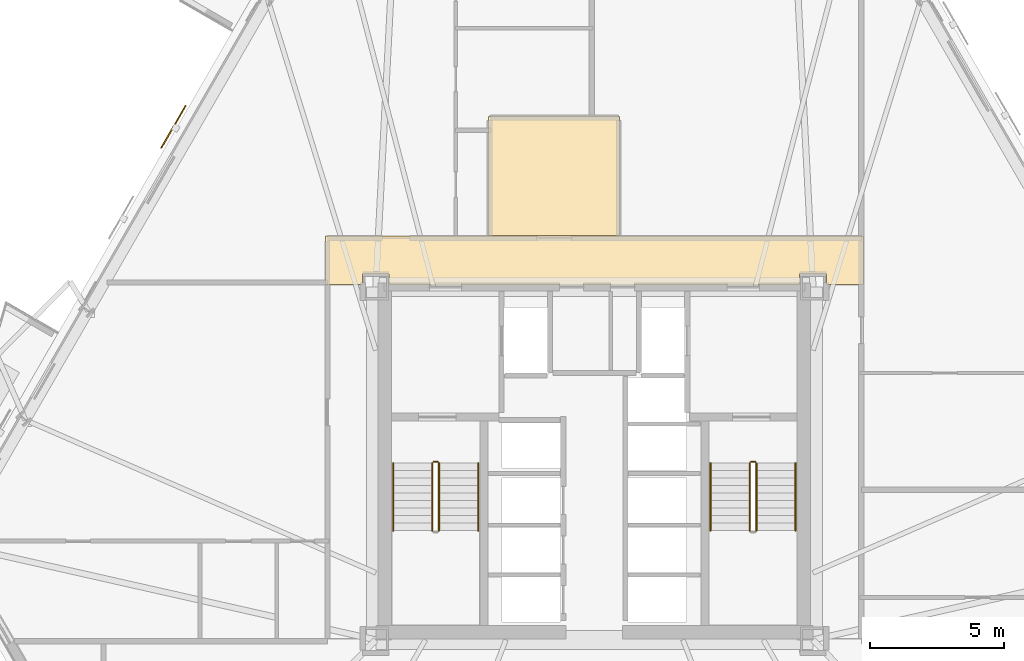
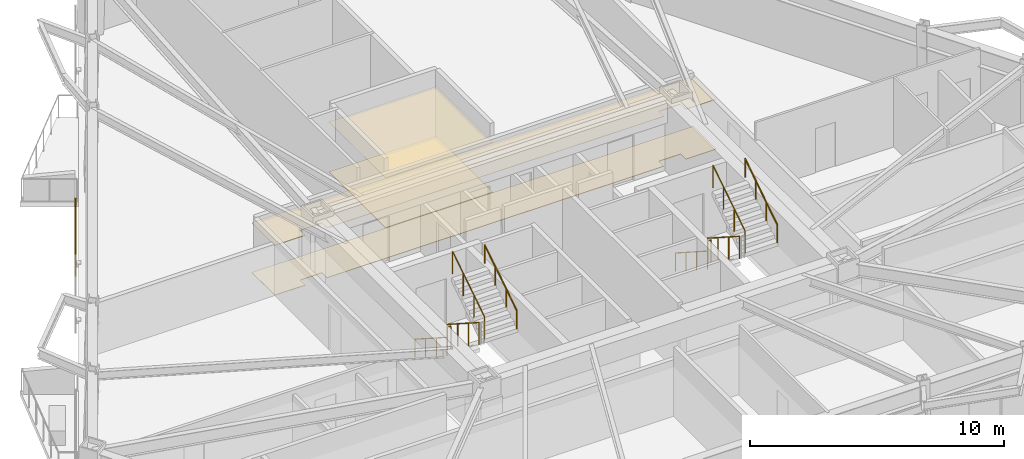
# One storey, part 9 of 10: 10 railings, 4 coverings, 1 shading device.
"""IFC4 building model written with IfcOpenShell, lengths in metres."""

import ifcopenshell
import ifcopenshell.guid

model = None  # the IFC model being written
_history = None  # IfcOwnerHistory: only IFC2X3 demands one
_inside = {}  # id of a spatial element -> (the spatial element, [elements in it])
_under = {}  # id of a project, library or spatial element -> (it, [spatial elements below it])
_declared = {}  # id of a project -> (the project, [libraries it declares])
_typed = {}  # id of a type object -> (the type object, [elements of that type])
_made_of = {}  # id of a material, layer set ... -> (it, [elements and type objects made of it])


def new_model(schema):
    """Start an empty IFC model of exactly this schema.

    Asked for "IFC4X3", IfcOpenShell would pick the latest addendum, in which some entities
    have other attributes; the version numbers below select the first issue.
    IFC2X3 requires an IfcOwnerHistory on every rooted entity: one is made here for all.
    """
    global model, _history
    if schema == "IFC4X3":
        model = ifcopenshell.file(schema_version=(4, 3, 0, 0))
    else:
        model = ifcopenshell.file(schema=schema)
    _inside.clear()
    _under.clear()
    _declared.clear()
    _typed.clear()
    _made_of.clear()
    _history = None
    if model.schema == "IFC2X3":
        org = make("IfcOrganization", Name="unknown")
        user = make(
            "IfcPersonAndOrganization",
            ThePerson=make("IfcPerson", FamilyName="unknown"),
            TheOrganization=org,
        )
        app = make(
            "IfcApplication",
            ApplicationDeveloper=org,
            Version="unknown",
            ApplicationFullName="unknown",
            ApplicationIdentifier="unknown",
        )
        _history = make(
            "IfcOwnerHistory",
            OwningUser=user,
            OwningApplication=app,
            ChangeAction="ADDED",
            CreationDate=0,
        )
    return model


def make(cls, **values):
    """One entity of the class cls with the attributes given. An attribute that is None is left unset."""
    return model.create_entity(
        cls, **{name: value for name, value in values.items() if value is not None}
    )


def rooted(cls, **values):
    """An entity with a GlobalId (a new one), such as an element, a storey or a relation."""
    return make(cls, GlobalId=ifcopenshell.guid.new(), OwnerHistory=_history, **values)


def si_unit(unit_type, name, prefix=None):
    """IfcSIUnit, for example si_unit("LENGTHUNIT", "METRE", prefix="MILLI")."""
    return make("IfcSIUnit", UnitType=unit_type, Prefix=prefix, Name=name)


def assignment(units):
    """IfcUnitAssignment: the units of a project."""
    return None if units is None else make("IfcUnitAssignment", Units=units)


def point(xyz):
    """IfcCartesianPoint."""
    return None if xyz is None else make("IfcCartesianPoint", Coordinates=xyz)


def direction(xyz):
    """IfcDirection."""
    return None if xyz is None else make("IfcDirection", DirectionRatios=xyz)


def frame(location, z_axis=None, x_axis=None):
    """IfcAxis2Placement3D, a coordinate frame: its origin and axes. An axis left out is left unset."""
    return make(
        "IfcAxis2Placement3D",
        Location=point(location),
        Axis=direction(z_axis),
        RefDirection=direction(x_axis),
    )


def frame_2d(location, x_axis=None):
    """IfcAxis2Placement2D, a coordinate frame in the plane: its origin and x axis."""
    return make(
        "IfcAxis2Placement2D", Location=point(location), RefDirection=direction(x_axis)
    )


def origin():
    """The frame at (0, 0, 0) with its axes left unset."""
    return frame((0.0, 0.0, 0.0))


def origin_2d():
    """The frame at (0, 0) in the plane with its x axis left unset."""
    return frame_2d((0.0, 0.0))


def place(relative_to, where):
    """IfcLocalPlacement: puts the frame where relative to a parent placement (None: the world)."""
    return make(
        "IfcLocalPlacement", PlacementRelTo=relative_to, RelativePlacement=where
    )


def context(
    kind, dimensions, precision=None, world=None, true_north=None, identifier=None
):
    """IfcGeometricRepresentationContext, for example the 3D "Model" context."""
    return make(
        "IfcGeometricRepresentationContext",
        ContextIdentifier=identifier,
        ContextType=kind,
        CoordinateSpaceDimension=dimensions,
        Precision=precision,
        WorldCoordinateSystem=world,
        TrueNorth=true_north,
    )


def subcontext(parent, identifier, kind, view, scale=None):
    """IfcGeometricRepresentationSubContext, for example "Body" below "Model"."""
    return make(
        "IfcGeometricRepresentationSubContext",
        ContextIdentifier=identifier,
        ContextType=kind,
        ParentContext=parent,
        TargetScale=scale,
        TargetView=view,
    )


def project(units=None, contexts=None):
    """IfcProject with its units and contexts."""
    return rooted(
        "IfcProject",
        Name="project",
        RepresentationContexts=contexts,
        UnitsInContext=assignment(units),
    )


def spatial(cls, under=None, at=None, **own):
    """A site, building, storey or space (cls), placed at a placement, below another one or the project."""
    s = rooted(cls, ObjectPlacement=at, **own)
    if under is not None:
        _under.setdefault(under.id(), (under, []))[1].append(s)
    return s


def polyline(points):
    """IfcPolyline through the points."""
    return make("IfcPolyline", Points=[point(p) for p in points])


def profile(cls, at=None, kind="AREA", **sizes):
    """A parametric profile (cls). Its sizes go by their IFC names, for example OverallWidth=200.0."""
    return make(cls, ProfileType=kind, Position=at, **sizes)


def rectangle(**sizes):
    """IfcRectangleProfileDef."""
    return profile("IfcRectangleProfileDef", **sizes)


def circle(**sizes):
    """IfcCircleProfileDef."""
    return profile("IfcCircleProfileDef", **sizes)


def outline(outer, holes=None, kind="AREA"):
    """IfcArbitraryClosedProfileDef: a profile drawn as a closed curve; with holes, ...WithVoids."""
    if holes is None:
        return make("IfcArbitraryClosedProfileDef", ProfileType=kind, OuterCurve=outer)
    return make(
        "IfcArbitraryProfileDefWithVoids",
        ProfileType=kind,
        OuterCurve=outer,
        InnerCurves=holes,
    )


def extrude(swept, where, along, depth):
    """IfcExtrudedAreaSolid: the profile swept, set in the frame where, extruded along a direction by depth."""
    return make(
        "IfcExtrudedAreaSolid",
        SweptArea=swept,
        Position=where,
        ExtrudedDirection=direction(along),
        Depth=depth,
    )


def shape(context_of_items, identifier, shape_type, items):
    """IfcShapeRepresentation: the items that make up one representation, for example the "Body"."""
    return make(
        "IfcShapeRepresentation",
        ContextOfItems=context_of_items,
        RepresentationIdentifier=identifier,
        RepresentationType=shape_type,
        Items=items,
    )


def material(Name=None, Category=None):
    """IfcMaterial."""
    return make("IfcMaterial", Name=Name, Category=Category)


def layer(
    of_material, thickness, ventilated=None, Name=None, Category=None, Priority=None
):
    """IfcMaterialLayer: one layer of a wall or slab, of a material (None: an air gap)."""
    return make(
        "IfcMaterialLayer",
        Material=of_material,
        LayerThickness=thickness,
        IsVentilated=ventilated,
        Name=Name,
        Category=Category,
        Priority=Priority,
    )


def layer_set(layers, Name=None):
    """IfcMaterialLayerSet."""
    return make("IfcMaterialLayerSet", MaterialLayers=layers, LayerSetName=Name)


def made_of(thing, what):
    """Note that an element or type object is made of a material, layer set ...; save() writes the relation."""
    if what is not None:
        _made_of.setdefault(what.id(), (what, []))[1].append(thing)
    return thing


def type_object(cls, material=None, **own):
    """A type object (cls), such as IfcWallType, which elements share."""
    return made_of(rooted(cls, **own), material)


def element(
    cls,
    number,
    at=None,
    inside=None,
    cuts=None,
    type_object=None,
    material=None,
    context=None,
    identifier="Body",
    shape_type=None,
    held_by="IfcProductDefinitionShape",
    body=None,
    shapes=None,
    **own,
):
    """One element of the class cls, such as IfcWall. Its Tag is "e" and its number.

    at: its placement. inside: the storey or other place that contains it. cuts: it is an
    opening in that element (IfcRelVoidsElement). A single representation is given by context,
    identifier, shape_type and body (its items); several are given by shapes. held_by: the class
    of the entity that holds the representations. save() writes the other relations.
    """
    e = rooted(cls, Tag="e%d" % number, ObjectPlacement=at, **own)
    if body is not None:
        shapes = [shape(context, identifier, shape_type, body)]
    if shapes is not None:
        e.Representation = make(held_by, Representations=shapes)
    if inside is not None:
        _inside.setdefault(inside.id(), (inside, []))[1].append(e)
    if cuts is not None:
        rooted(
            "IfcRelVoidsElement", RelatingBuildingElement=cuts, RelatedOpeningElement=e
        )
    if type_object is not None:
        _typed.setdefault(type_object.id(), (type_object, []))[1].append(e)
    return made_of(e, material)


def aggregate(whole, parts):
    """IfcRelAggregates: a whole, such as a stair, and the parts it consists of."""
    return rooted("IfcRelAggregates", RelatingObject=whole, RelatedObjects=parts)


def save(model, path):
    """Write the relations noted so far, then the file.

    IfcRelAggregates (storeys below a building ...), IfcRelContainedInSpatialStructure (elements
    in a storey), IfcRelDefinesByType, IfcRelAssociatesMaterial and IfcRelDeclares: one each for
    every whole, place, type object, material and project.
    """
    for whole, parts in _under.values():
        aggregate(whole, parts)
    for where, things in _inside.values():
        rooted(
            "IfcRelContainedInSpatialStructure",
            RelatedElements=things,
            RelatingStructure=where,
        )
    for kind, things in _typed.values():
        rooted("IfcRelDefinesByType", RelatedObjects=things, RelatingType=kind)
    for what, things in _made_of.values():
        rooted("IfcRelAssociatesMaterial", RelatedObjects=things, RelatingMaterial=what)
    for by, libraries in _declared.values():
        rooted("IfcRelDeclares", RelatingContext=by, RelatedDefinitions=libraries)
    model.write(path)


model = new_model("IFC4")

# Units and contexts
model_context = context("Model", 3, precision=1e-05, world=origin(), true_north=direction((0.0, 1.0)))
body_context = subcontext(model_context, "Body", "Model", "MODEL_VIEW")
ifc_project = project(units=[si_unit("LENGTHUNIT", "METRE"), si_unit("AREAUNIT", "SQUARE_METRE"), si_unit("VOLUMEUNIT", "CUBIC_METRE"), si_unit("PLANEANGLEUNIT", "RADIAN"), si_unit("MASSUNIT", "GRAM", prefix="KILO")], contexts=[model_context])

# Site, building, storey
site_placement = place(None, origin())
site = spatial("IfcSite", under=ifc_project, at=site_placement, CompositionType="ELEMENT")
building_placement = place(site_placement, origin())
building = spatial("IfcBuilding", under=site, at=building_placement, Name="Oramaril Tower", CompositionType="ELEMENT")
storey_placement = place(building_placement, frame((0.0, 0.0, 52.5)))
storey = spatial("IfcBuildingStorey", under=building, at=storey_placement, Name="L13", CompositionType="ELEMENT", Elevation=52.5)

# Coverings
ifc_material_1 = material(Name="Mineral Fibre Acoustic Ceiling")
ifc_layer_1 = layer(ifc_material_1, 0.02001953125)
ifc_layer_set_1 = layer_set([ifc_layer_1], Name="CVT-CEIL")
covering_type_1 = type_object("IfcCoveringType", Name="CVT-CEIL", PredefinedType="CEILING", material=ifc_layer_set_1)
covering_1_placement = place(storey_placement, frame((0.0, 0.0, 2.39990234375)))
element("IfcCovering", 1, at=covering_1_placement, inside=storey, type_object=covering_type_1, Name="L13 Acoustic Suspended Ceiling 2", PredefinedType="CEILING", context=body_context, shape_type="SweptSolid", body=[
    extrude(outline(polyline([(47.530029296875, 24.239990234375), (46.14501953125, 24.239990234375), (46.14501953125, 24.64501953125), (45.155029296875, 24.64501953125), (45.155029296875, 24.25), (29.844970703125, 24.25), (29.844970703125, 24.64501953125), (28.85498046875, 24.64501953125), (28.85498046875, 24.239990234375), (27.469970703125, 24.239990234375), (27.469970703125, 26.050048828125), (47.530029296875, 26.050048828125), (47.530029296875, 24.239990234375)])), origin(), (0.0, 0.0, 1.0), 0.02001953125),
])
covering_2_placement = place(storey_placement, frame((0.0, 0.0, 2.39990234375)))
element("IfcCovering", 2, at=covering_2_placement, inside=storey, type_object=covering_type_1, Name="L13 Acoustic Suspended Ceiling 5", PredefinedType="CEILING", context=body_context, shape_type="SweptSolid", body=[
    extrude(outline(polyline([(38.44189453125, 30.511962890625), (38.44189453125, 26.070068359375), (33.55810546875, 26.070068359375), (33.55810546875, 30.511962890625), (38.44189453125, 30.511962890625)])), origin(), (0.0, 0.0, 1.0), 0.02001953125),
])
ifc_material_2 = material(Name="Honed Quartzite Stone Flooring", Category="masonry")
ifc_layer_2 = layer(ifc_material_2, 0.02490234375)
ifc_layer_set_2 = layer_set([ifc_layer_2], Name="CVT-FLR")
covering_type_2 = type_object("IfcCoveringType", Name="CVT-FLR", PredefinedType="FLOORING", material=ifc_layer_set_2)
covering_3_placement = place(storey_placement, origin())
element("IfcCovering", 3, at=covering_3_placement, inside=storey, type_object=covering_type_2, Name="L13 Honed Stone Floor Finish 2", PredefinedType="FLOORING", context=body_context, shape_type="SweptSolid", body=[
    extrude(outline(polyline([(47.530029296875, 24.239990234375), (46.14501953125, 24.239990234375), (46.14501953125, 24.64501953125), (45.155029296875, 24.64501953125), (45.155029296875, 24.25), (29.844970703125, 24.25), (29.844970703125, 24.64501953125), (28.85498046875, 24.64501953125), (28.85498046875, 24.239990234375), (27.469970703125, 24.239990234375), (27.469970703125, 26.050048828125), (47.530029296875, 26.050048828125), (47.530029296875, 24.239990234375)])), origin(), (0.0, 0.0, 1.0), 0.02490234375),
])
covering_4_placement = place(storey_placement, origin())
element("IfcCovering", 4, at=covering_4_placement, inside=storey, type_object=covering_type_2, Name="L13 Honed Stone Floor Finish 5", PredefinedType="FLOORING", context=body_context, shape_type="SweptSolid", body=[
    extrude(outline(polyline([(38.44189453125, 30.511962890625), (38.44189453125, 26.070068359375), (33.55810546875, 26.070068359375), (33.55810546875, 30.511962890625), (38.44189453125, 30.511962890625)])), origin(), (0.0, 0.0, 1.0), 0.02490234375),
])

# Railings
ifc_material_3 = material(Name="Stainless Steel 316L", Category="steel")
railing_type_1 = type_object("IfcRailingType", Name="RLT-GRD", PredefinedType="GUARDRAIL", material=ifc_material_3)
railing_1_placement = place(storey_placement, frame((31.4599609375, 17.590087890625, 0.179931640625)))
element("IfcRailing", 5, at=railing_1_placement, inside=storey, type_object=railing_type_1, Name="L13 ST-1 stair guard 1", PredefinedType="GUARDRAIL", context=body_context, shape_type="SweptSolid", body=[
    extrude(circle(Radius=0.02392578125, at=origin_2d()), frame((0.0, 0.0, 1.076171875), z_axis=(0.0, -0.841162588446, 0.540782303519), x_axis=(1.0, 0.0, 0.0)), (0.0, 0.0, 1.0), 2.995849609375),
    extrude(circle(Radius=0.02099609375, at=origin_2d()), origin(), (0.0, 0.0, 1.0), 1.052001953125),
    extrude(circle(Radius=0.02099609375, at=origin_2d()), frame((0.0, -0.840087890625, 0.5400390625)), (0.0, 0.0, 1.0), 1.052001953125),
    extrude(circle(Radius=0.02099609375, at=origin_2d()), frame((0.0, -1.679931640625, 1.080078125)), (0.0, 0.0, 1.0), 1.052001953125),
    extrude(circle(Radius=0.02099609375, at=origin_2d()), frame((0.0, -2.52001953125, 1.6201171875)), (0.0, 0.0, 1.0), 1.052001953125),
])
railing_2_placement = place(storey_placement, frame((31.7099609375, 15.070068359375, 1.97998046875)))
element("IfcRailing", 6, at=railing_2_placement, inside=storey, type_object=railing_type_1, Name="L13 ST-1 stair guard 3", PredefinedType="GUARDRAIL", context=body_context, shape_type="SweptSolid", body=[
    extrude(circle(Radius=0.02392578125, at=origin_2d()), frame((0.0, 0.0, 1.076171875), z_axis=(0.0, 0.841162588446, 0.540782303519), x_axis=(-1.0, 0.0, 0.0)), (0.0, 0.0, 1.0), 2.995849609375),
    extrude(circle(Radius=0.02099609375, at=origin_2d()), origin(), (0.0, 0.0, 1.0), 1.052001953125),
    extrude(circle(Radius=0.02099609375, at=origin_2d()), frame((0.0, 0.840087890625, 0.5400390625)), (0.0, 0.0, 1.0), 1.052001953125),
    extrude(circle(Radius=0.02099609375, at=origin_2d()), frame((0.0, 1.679931640625, 1.080078125)), (0.0, 0.0, 1.0), 1.052001953125),
    extrude(circle(Radius=0.02099609375, at=origin_2d()), frame((0.0, 2.52001953125, 1.6201171875)), (0.0, 0.0, 1.0), 1.052001953125),
])
railing_3_placement = place(storey_placement, frame((31.510009765625, 17.639892578125, 0.0)))
element("IfcRailing", 7, at=railing_3_placement, inside=storey, type_object=railing_type_1, Name="L13 ST-1 stair guard 4", PredefinedType="GUARDRAIL", context=body_context, shape_type="SweptSolid", body=[
    extrude(circle(Radius=0.02392578125, at=origin_2d()), frame((0.0, 0.0, 1.076171875), z_axis=(1.0, 0.0, 0.0), x_axis=(0.0, 1.0, 0.0)), (0.0, 0.0, 1.0), 0.14990234375),
    extrude(circle(Radius=0.02099609375, at=origin_2d()), origin(), (0.0, 0.0, 1.0), 1.052001953125),
    extrude(circle(Radius=0.02099609375, at=origin_2d()), frame((0.14990234375, 0.0, 0.0)), (0.0, 0.0, 1.0), 1.052001953125),
])
railing_4_placement = place(storey_placement, frame((43.2900390625, 17.590087890625, 0.179931640625)))
element("IfcRailing", 8, at=railing_4_placement, inside=storey, type_object=railing_type_1, Name="L13 ST-2 stair guard 1", PredefinedType="GUARDRAIL", context=body_context, shape_type="SweptSolid", body=[
    extrude(circle(Radius=0.02392578125, at=origin_2d()), frame((0.0, 0.0, 1.076171875), z_axis=(0.0, -0.841162588446, 0.540782303519), x_axis=(1.0, 0.0, 0.0)), (0.0, 0.0, 1.0), 2.995849609375),
    extrude(circle(Radius=0.02099609375, at=origin_2d()), origin(), (0.0, 0.0, 1.0), 1.052001953125),
    extrude(circle(Radius=0.02099609375, at=origin_2d()), frame((0.0, -0.840087890625, 0.5400390625)), (0.0, 0.0, 1.0), 1.052001953125),
    extrude(circle(Radius=0.02099609375, at=origin_2d()), frame((0.0, -1.679931640625, 1.080078125)), (0.0, 0.0, 1.0), 1.052001953125),
    extrude(circle(Radius=0.02099609375, at=origin_2d()), frame((0.0, -2.52001953125, 1.6201171875)), (0.0, 0.0, 1.0), 1.052001953125),
])
railing_5_placement = place(storey_placement, frame((43.5400390625, 15.070068359375, 1.97998046875)))
element("IfcRailing", 9, at=railing_5_placement, inside=storey, type_object=railing_type_1, Name="L13 ST-2 stair guard 3", PredefinedType="GUARDRAIL", context=body_context, shape_type="SweptSolid", body=[
    extrude(circle(Radius=0.02392578125, at=origin_2d()), frame((0.0, 0.0, 1.076171875), z_axis=(0.0, 0.841162588446, 0.540782303519), x_axis=(-1.0, 0.0, 0.0)), (0.0, 0.0, 1.0), 2.995849609375),
    extrude(circle(Radius=0.02099609375, at=origin_2d()), origin(), (0.0, 0.0, 1.0), 1.052001953125),
    extrude(circle(Radius=0.02099609375, at=origin_2d()), frame((0.0, 0.840087890625, 0.5400390625)), (0.0, 0.0, 1.0), 1.052001953125),
    extrude(circle(Radius=0.02099609375, at=origin_2d()), frame((0.0, 1.679931640625, 1.080078125)), (0.0, 0.0, 1.0), 1.052001953125),
    extrude(circle(Radius=0.02099609375, at=origin_2d()), frame((0.0, 2.52001953125, 1.6201171875)), (0.0, 0.0, 1.0), 1.052001953125),
])
railing_6_placement = place(storey_placement, frame((43.340087890625, 17.639892578125, 0.0)))
element("IfcRailing", 10, at=railing_6_placement, inside=storey, type_object=railing_type_1, Name="L13 ST-2 stair guard 4", PredefinedType="GUARDRAIL", context=body_context, shape_type="SweptSolid", body=[
    extrude(circle(Radius=0.02392578125, at=origin_2d()), frame((0.0, 0.0, 1.076171875), z_axis=(1.0, 0.0, 0.0), x_axis=(0.0, 1.0, 0.0)), (0.0, 0.0, 1.0), 0.14990234375),
    extrude(circle(Radius=0.02099609375, at=origin_2d()), origin(), (0.0, 0.0, 1.0), 1.052001953125),
    extrude(circle(Radius=0.02099609375, at=origin_2d()), frame((0.14990234375, 0.0, 0.0)), (0.0, 0.0, 1.0), 1.052001953125),
])
ifc_material_4 = material(Name="Stainless Steel 316L", Category="steel")
railing_type_2 = type_object("IfcRailingType", Name="RLT-HND", PredefinedType="HANDRAIL", material=ifc_material_4)
railing_7_placement = place(storey_placement, frame((30.0, 17.590087890625, 0.179931640625)))
element("IfcRailing", 11, at=railing_7_placement, inside=storey, type_object=railing_type_2, Name="L13 ST-1 stair handrail 1", PredefinedType="HANDRAIL", context=body_context, shape_type="SweptSolid", body=[
    extrude(circle(Radius=0.02392578125, at=origin_2d()), frame((0.0, 0.0, 0.8759765625), z_axis=(0.0, -0.841162588446, 0.540782303519), x_axis=(1.0, 0.0, 0.0)), (0.0, 0.0, 1.0), 2.995849609375),
    extrude(circle(Radius=0.02099609375, at=origin_2d()), origin(), (0.0, 0.0, 1.0), 0.851806640625),
    extrude(circle(Radius=0.02099609375, at=origin_2d()), frame((0.0, -0.840087890625, 0.5400390625)), (0.0, 0.0, 1.0), 0.851806640625),
    extrude(circle(Radius=0.02099609375, at=origin_2d()), frame((0.0, -1.679931640625, 1.080078125)), (0.0, 0.0, 1.0), 0.851806640625),
    extrude(circle(Radius=0.02099609375, at=origin_2d()), frame((0.0, -2.52001953125, 1.6201171875)), (0.0, 0.0, 1.0), 0.851806640625),
])
railing_8_placement = place(storey_placement, frame((33.169921875, 15.070068359375, 1.97998046875)))
element("IfcRailing", 12, at=railing_8_placement, inside=storey, type_object=railing_type_2, Name="L13 ST-1 stair handrail 2", PredefinedType="HANDRAIL", context=body_context, shape_type="SweptSolid", body=[
    extrude(circle(Radius=0.02392578125, at=origin_2d()), frame((0.0, 0.0, 0.8759765625), z_axis=(0.0, 0.841162588446, 0.540782303519), x_axis=(-1.0, 0.0, 0.0)), (0.0, 0.0, 1.0), 2.995849609375),
    extrude(circle(Radius=0.02099609375, at=origin_2d()), origin(), (0.0, 0.0, 1.0), 0.851806640625),
    extrude(circle(Radius=0.02099609375, at=origin_2d()), frame((0.0, 0.840087890625, 0.5400390625)), (0.0, 0.0, 1.0), 0.851806640625),
    extrude(circle(Radius=0.02099609375, at=origin_2d()), frame((0.0, 1.679931640625, 1.080078125)), (0.0, 0.0, 1.0), 0.851806640625),
    extrude(circle(Radius=0.02099609375, at=origin_2d()), frame((0.0, 2.52001953125, 1.6201171875)), (0.0, 0.0, 1.0), 0.851806640625),
])
railing_9_placement = place(storey_placement, frame((41.830078125, 17.590087890625, 0.179931640625)))
element("IfcRailing", 13, at=railing_9_placement, inside=storey, type_object=railing_type_2, Name="L13 ST-2 stair handrail 1", PredefinedType="HANDRAIL", context=body_context, shape_type="SweptSolid", body=[
    extrude(circle(Radius=0.02392578125, at=origin_2d()), frame((0.0, 0.0, 0.8759765625), z_axis=(0.0, -0.841162588446, 0.540782303519), x_axis=(1.0, 0.0, 0.0)), (0.0, 0.0, 1.0), 2.995849609375),
    extrude(circle(Radius=0.02099609375, at=origin_2d()), origin(), (0.0, 0.0, 1.0), 0.851806640625),
    extrude(circle(Radius=0.02099609375, at=origin_2d()), frame((0.0, -0.840087890625, 0.5400390625)), (0.0, 0.0, 1.0), 0.851806640625),
    extrude(circle(Radius=0.02099609375, at=origin_2d()), frame((0.0, -1.679931640625, 1.080078125)), (0.0, 0.0, 1.0), 0.851806640625),
    extrude(circle(Radius=0.02099609375, at=origin_2d()), frame((0.0, -2.52001953125, 1.6201171875)), (0.0, 0.0, 1.0), 0.851806640625),
])
railing_10_placement = place(storey_placement, frame((45.0, 15.070068359375, 1.97998046875)))
element("IfcRailing", 14, at=railing_10_placement, inside=storey, type_object=railing_type_2, Name="L13 ST-2 stair handrail 2", PredefinedType="HANDRAIL", context=body_context, shape_type="SweptSolid", body=[
    extrude(circle(Radius=0.02392578125, at=origin_2d()), frame((0.0, 0.0, 0.8759765625), z_axis=(0.0, 0.841162588446, 0.540782303519), x_axis=(-1.0, 0.0, 0.0)), (0.0, 0.0, 1.0), 2.995849609375),
    extrude(circle(Radius=0.02099609375, at=origin_2d()), origin(), (0.0, 0.0, 1.0), 0.851806640625),
    extrude(circle(Radius=0.02099609375, at=origin_2d()), frame((0.0, 0.840087890625, 0.5400390625)), (0.0, 0.0, 1.0), 0.851806640625),
    extrude(circle(Radius=0.02099609375, at=origin_2d()), frame((0.0, 1.679931640625, 1.080078125)), (0.0, 0.0, 1.0), 0.851806640625),
    extrude(circle(Radius=0.02099609375, at=origin_2d()), frame((0.0, 2.52001953125, 1.6201171875)), (0.0, 0.0, 1.0), 0.851806640625),
])

# Shading device
shading_device_placement = place(storey_placement, frame((21.80810546875, 30.12548828125, -0.02001953125), z_axis=(0.0, 0.0, 1.0), x_axis=(-0.5, -0.866025403784, 0.0)))
element("IfcShadingDevice", 15, at=shading_device_placement, inside=storey, Name="L13 Perforated Ceramic Solar Screen", ObjectType="SCREEN", PredefinedType="USERDEFINED", context=body_context, shape_type="SweptSolid", body=[
    extrude(rectangle(XDim=1.8330078125, YDim=0.050048828125, at=origin_2d()), origin(), (0.0, 0.0, 1.0), 2.493896484375),
])

save(model, "model.ifc")
